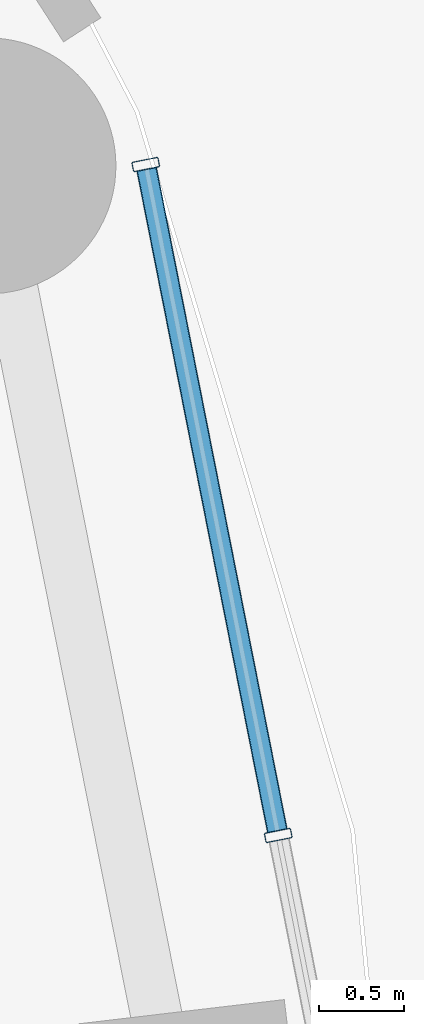
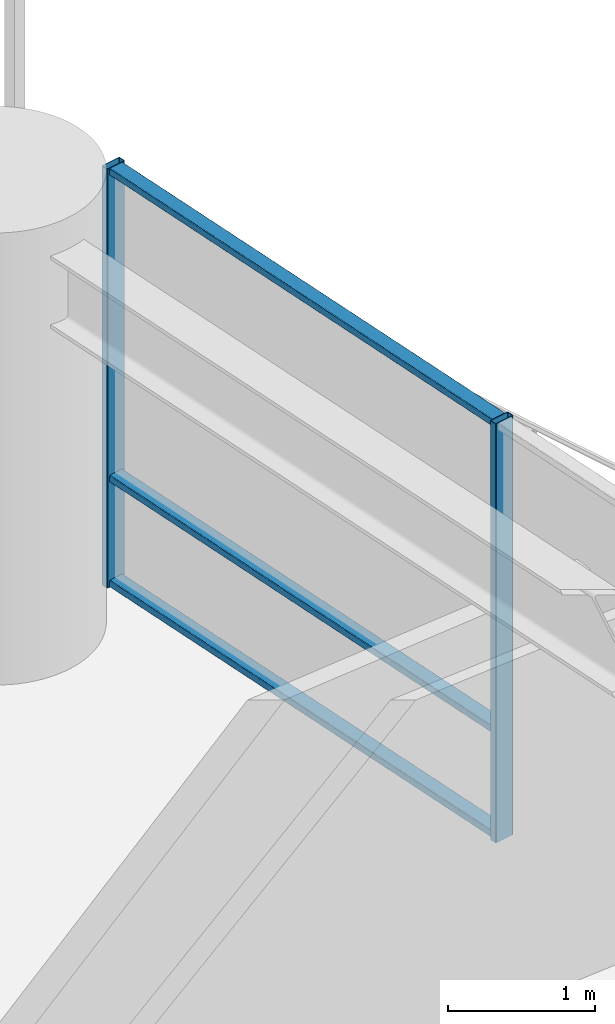
# One storey, part 19 of 32: 5 members, 1 element without a shape of its own.
"""IFC4 building model written with IfcOpenShell, lengths in metres."""

from ifc_helpers import new_model, si_unit, direction, frame, origin, origin_2d, place, context, subcontext, project, spatial, hollow_rectangle, extrude, material, layer, layer_set, material_profile, profile_set, type_object, element, aggregate, save


model = new_model("IFC4")

# Units and contexts
model_context = context("Model", 3, precision=1e-05, world=origin(), true_north=direction((0.0, 1.0)))
body_context = subcontext(model_context, "Body", "Model", "MODEL_VIEW")
ifc_project = project(units=[si_unit("LENGTHUNIT", "METRE"), si_unit("AREAUNIT", "SQUARE_METRE"), si_unit("VOLUMEUNIT", "CUBIC_METRE"), si_unit("PLANEANGLEUNIT", "RADIAN"), si_unit("MASSUNIT", "GRAM", prefix="KILO")], contexts=[model_context])

# Site, building, storey
site_placement = place(None, origin())
site = spatial("IfcSite", under=ifc_project, at=site_placement, CompositionType="ELEMENT")
building_placement = place(site_placement, origin())
building = spatial("IfcBuilding", under=site, at=building_placement, Name="Kelanora Arch Commons", CompositionType="ELEMENT")
storey_placement = place(building_placement, frame((0.0, 0.0, 48.75)))
storey = spatial("IfcBuildingStorey", under=building, at=storey_placement, Name="L12", CompositionType="ELEMENT", Elevation=48.75)

# Curtain wall, members
ifc_material_1 = material(Name="Terracotta ceramic-fritted low-E glass and aluminium", Category="masonry")
ifc_layer = layer(ifc_material_1, 0.159912109375)
ifc_layer_set = layer_set([ifc_layer], Name="Terracotta ceramic-fritted low-E glass and aluminium")
curtain_wall_type = type_object("IfcCurtainWallType", Name="CW-SYS-01", PredefinedType="NOTDEFINED", material=ifc_layer_set)
curtain_wall_placement = place(storey_placement, origin())
curtain_wall = element("IfcCurtainWall", 1, at=curtain_wall_placement, inside=storey, type_object=curtain_wall_type, Name="Unitised Curtain Wall L12-B00", PredefinedType="NOTDEFINED")
ifc_material_2 = material(Name="Powder-coated aluminium terracotta", Category="masonry")
ifc_material_profile_1 = material_profile(ifc_material_2, hollow_rectangle(XDim=0.159912109375, YDim=0.06005859375, WallThickness=0.0048828125, InnerFilletRadius=0.0048828125, OuterFilletRadius=0.010009765625, at=origin_2d()), Name="CWM160x60")
ifc_profile_set_1 = profile_set([ifc_material_profile_1], Name="Powder-coated aluminium terracotta")
member_type_1 = type_object("IfcMemberType", Name="CWM-STD", PredefinedType="MULLION", material=ifc_profile_set_1)
member_1_placement = place(storey_placement, frame((101.1484375, 62.3115234375, 0.0), z_axis=(0.0, 0.0, 1.0), x_axis=(-0.981052110579, -0.193744048498, 0.0)))
member_1 = element("IfcMember", 2, at=member_1_placement, type_object=member_type_1, Name="CW-01 mullion 2", PredefinedType="MULLION", context=body_context, shape_type="SweptSolid", body=[
    extrude(hollow_rectangle(XDim=0.159912109375, YDim=0.06005859375, WallThickness=0.0048828125, InnerFilletRadius=0.0048828125, OuterFilletRadius=0.010009765625, at=origin_2d()), origin(), (0.0, 0.0, 1.0), 3.47509765625),
])
member_2_placement = place(storey_placement, frame((100.371826171875, 66.243896484375, 0.0), z_axis=(0.0, 0.0, 1.0), x_axis=(-0.981052110579, -0.193744048498, 0.0)))
member_2 = element("IfcMember", 3, at=member_2_placement, type_object=member_type_1, Name="CW-01 mullion 3", PredefinedType="MULLION", context=body_context, shape_type="SweptSolid", body=[
    extrude(hollow_rectangle(XDim=0.159912109375, YDim=0.06005859375, WallThickness=0.0048828125, InnerFilletRadius=0.0048828125, OuterFilletRadius=0.010009765625, at=origin_2d()), origin(), (0.0, 0.0, 1.0), 3.47509765625),
])
ifc_material_profile_2 = material_profile(ifc_material_2, hollow_rectangle(XDim=0.1201171875, YDim=0.06005859375, WallThickness=0.0048828125, InnerFilletRadius=0.0048828125, OuterFilletRadius=0.010009765625, at=origin_2d()), Name="CWT120x60")
ifc_profile_set_2 = profile_set([ifc_material_profile_2], Name="Powder-coated aluminium terracotta")
member_type_2 = type_object("IfcMemberType", Name="CWT-STD", PredefinedType="USERDEFINED", material=ifc_profile_set_2)
member_3_placement = place(storey_placement, frame((101.142578125, 62.3408203125, 0.030029296875), z_axis=(-0.193725436624, 0.98105578598, 0.0), x_axis=(-0.98105578598, -0.193725436624, 0.0)))
member_3 = element("IfcMember", 4, at=member_3_placement, type_object=member_type_2, Name="CW-01 transom 2.1", ObjectType="TRANSOM", PredefinedType="USERDEFINED", context=body_context, shape_type="SweptSolid", body=[
    extrude(hollow_rectangle(XDim=0.1201171875, YDim=0.06005859375, WallThickness=0.0048828125, InnerFilletRadius=0.0048828125, OuterFilletRadius=0.010009765625, at=origin_2d()), origin(), (0.0, 0.0, 1.0), 3.9482421875),
])
member_4_placement = place(storey_placement, frame((101.142578125, 62.3408203125, 0.89990234375), z_axis=(-0.193725436624, 0.98105578598, 0.0), x_axis=(-0.98105578598, -0.193725436624, 0.0)))
member_4 = element("IfcMember", 5, at=member_4_placement, type_object=member_type_2, Name="CW-01 transom 2.2", ObjectType="TRANSOM", PredefinedType="USERDEFINED", context=body_context, shape_type="SweptSolid", body=[
    extrude(hollow_rectangle(XDim=0.1201171875, YDim=0.06005859375, WallThickness=0.0048828125, InnerFilletRadius=0.0048828125, OuterFilletRadius=0.010009765625, at=origin_2d()), origin(), (0.0, 0.0, 1.0), 3.9482421875),
])
member_5_placement = place(storey_placement, frame((101.142578125, 62.3408203125, 3.445068359375), z_axis=(-0.193725436624, 0.98105578598, 0.0), x_axis=(-0.98105578598, -0.193725436624, 0.0)))
member_5 = element("IfcMember", 6, at=member_5_placement, type_object=member_type_2, Name="CW-01 transom 2.3", ObjectType="TRANSOM", PredefinedType="USERDEFINED", context=body_context, shape_type="SweptSolid", body=[
    extrude(hollow_rectangle(XDim=0.1201171875, YDim=0.06005859375, WallThickness=0.0048828125, InnerFilletRadius=0.0048828125, OuterFilletRadius=0.010009765625, at=origin_2d()), origin(), (0.0, 0.0, 1.0), 3.9482421875),
])
aggregate(curtain_wall, [member_1, member_2, member_3, member_4, member_5])

save(model, "model.ifc")
